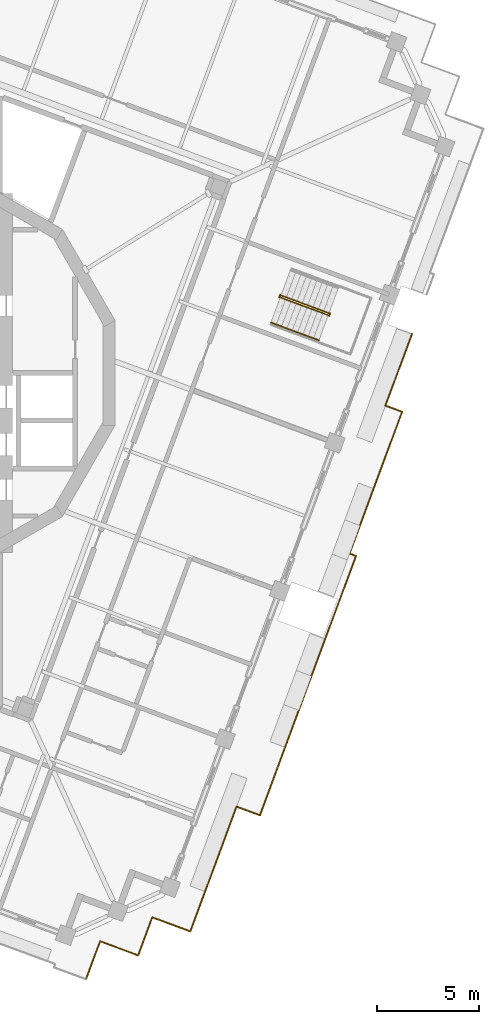
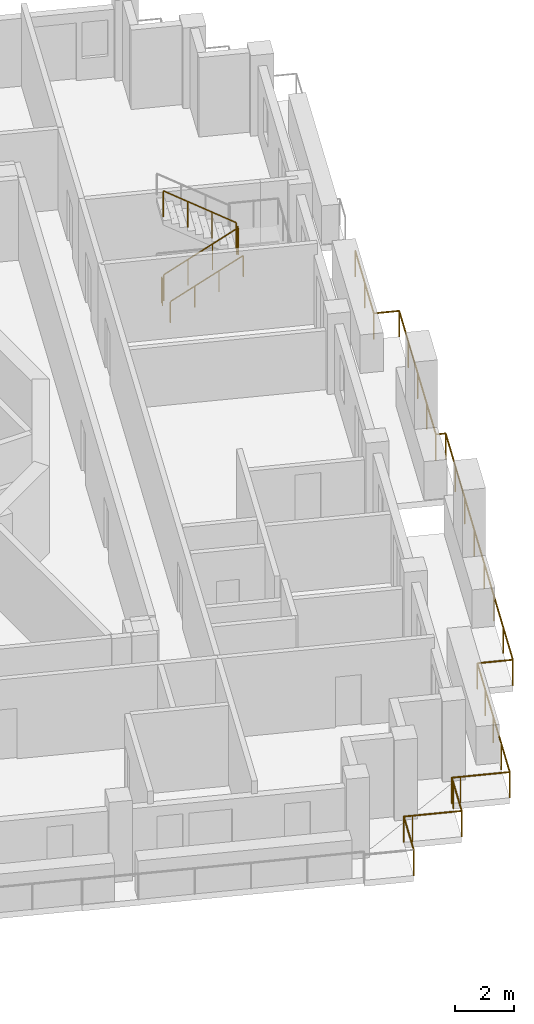
# One storey, part 17 of 20: 5 railings.
"""IFC4 building model written with IfcOpenShell, lengths in metres."""

from ifc_helpers import new_model, si_unit, direction, frame, origin, origin_2d, place, context, subcontext, project, spatial, circle, extrude, material, type_object, element, save


model = new_model("IFC4")

# Units and contexts
model_context = context("Model", 3, precision=1e-05, world=origin(), true_north=direction((0.0, 1.0)))
body_context = subcontext(model_context, "Body", "Model", "MODEL_VIEW")
ifc_project = project(units=[si_unit("LENGTHUNIT", "METRE"), si_unit("AREAUNIT", "SQUARE_METRE"), si_unit("VOLUMEUNIT", "CUBIC_METRE"), si_unit("PLANEANGLEUNIT", "RADIAN"), si_unit("MASSUNIT", "GRAM", prefix="KILO")], contexts=[model_context])

# Site, building, storey
site_placement = place(None, origin())
site = spatial("IfcSite", under=ifc_project, at=site_placement, CompositionType="ELEMENT")
building_placement = place(site_placement, origin())
building = spatial("IfcBuilding", under=site, at=building_placement, Name="Cantera Rosa Tower", CompositionType="ELEMENT")
storey_placement = place(building_placement, frame((0.0, 0.0, 313.300048828125)))
storey = spatial("IfcBuildingStorey", under=building, at=storey_placement, Name="L69", CompositionType="ELEMENT", Elevation=313.300048828125)

# Railings
ifc_material_1 = material(Name="Stainless steel and laminated glass", Category="steel")
railing_type_1 = type_object("IfcRailingType", Name="GUARD 1100", PredefinedType="BALUSTRADE", material=ifc_material_1)
railing_1_placement = place(storey_placement, frame((24.29150390625, 1.918701171875, 0.0)))
element("IfcRailing", 1, at=railing_1_placement, inside=storey, type_object=railing_type_1, Name="GUARD L69-7", PredefinedType="BALUSTRADE", context=body_context, shape_type="SweptSolid", body=[
    extrude(circle(Radius=0.030029296875, at=origin_2d()), frame((0.0, 0.0, 1.070068359375), z_axis=(-0.347529903095, -0.937668900228, 0.0), x_axis=(0.937668900228, -0.347529903095, 0.0)), (0.0, 0.0, 1.0), 3.7626953125),
    extrude(circle(Radius=0.030029296875, at=origin_2d()), frame((-1.3076171875, -3.528076171875, 1.070068359375), z_axis=(0.937752120302, -0.347305284828, 0.0), x_axis=(0.347305284828, 0.937752120302, 0.0)), (0.0, 0.0, 1.0), 0.876708984375),
    extrude(circle(Radius=0.030029296875, at=origin_2d()), frame((-0.485595703125, -3.83251953125, 1.070068359375), z_axis=(-0.347475671947, -0.937688998232, 0.0), x_axis=(0.937688998232, -0.347475671947, 0.0)), (0.0, 0.0, 1.0), 7.44287109375),
    extrude(circle(Radius=0.030029296875, at=origin_2d()), frame((-3.07177734375, -10.8115234375, 1.070068359375), z_axis=(0.937661389353, -0.347550167482, 0.0), x_axis=(0.347550167482, 0.937661389353, 0.0)), (0.0, 0.0, 1.0), 0.337158203125),
    extrude(circle(Radius=0.030029296875, at=origin_2d()), frame((-2.755615234375, -10.9287109375, 1.070068359375), z_axis=(-0.347469536393, -0.937691271837, 0.0), x_axis=(0.937691271837, -0.347469536393, 0.0)), (0.0, 0.0, 1.0), 13.62939453125),
    extrude(circle(Radius=0.030029296875, at=origin_2d()), frame((-7.491455078125, -23.708984375, 1.070068359375), z_axis=(-0.937722312445, 0.34738575783, 0.0), x_axis=(-0.34738575783, -0.937722312445, 0.0)), (0.0, 0.0, 1.0), 1.224853515625),
    extrude(circle(Radius=0.030029296875, at=origin_2d()), frame((-8.64013671875, -23.283447265625, 1.070068359375), z_axis=(-0.347478129695, -0.93768808747, 0.0), x_axis=(0.93768808747, -0.347478129695, 0.0)), (0.0, 0.0, 1.0), 4.85498046875),
    extrude(circle(Radius=0.030029296875, at=origin_2d()), frame((-10.3271484375, -27.8359375, 1.070068359375), z_axis=(-0.347501421626, -0.937679455874, 0.0), x_axis=(0.937679455874, -0.347501421626, 0.0)), (0.0, 0.0, 1.0), 1.7001953125),
    extrude(circle(Radius=0.030029296875, at=origin_2d()), frame((-10.91796875, -29.43017578125, 1.070068359375), z_axis=(-0.93766211216, 0.347548217403, 0.0), x_axis=(-0.347548217403, -0.93766211216, 0.0)), (0.0, 0.0, 1.0), 1.699951171875),
    extrude(circle(Radius=0.030029296875, at=origin_2d()), frame((-12.511962890625, -28.83935546875, 1.070068359375), z_axis=(-0.937660365215, 0.347552930509, 0.0), x_axis=(-0.347552930509, -0.937660365215, 0.0)), (0.0, 0.0, 1.0), 0.300048828125),
    extrude(circle(Radius=0.030029296875, at=origin_2d()), frame((-12.793212890625, -28.735107421875, 1.070068359375), z_axis=(-0.347552930509, -0.937660365215, 0.0), x_axis=(0.937660365215, -0.347552930509, 0.0)), (0.0, 0.0, 1.0), 0.300048828125),
    extrude(circle(Radius=0.030029296875, at=origin_2d()), frame((-12.8974609375, -29.016357421875, 1.070068359375), z_axis=(-0.347501421626, -0.937679455874, 0.0), x_axis=(0.937679455874, -0.347501421626, 0.0)), (0.0, 0.0, 1.0), 1.7001953125),
    extrude(circle(Radius=0.030029296875, at=origin_2d()), frame((-13.48828125, -30.610595703125, 1.070068359375), z_axis=(-0.93766211216, 0.347548217403, 0.0), x_axis=(-0.347548217403, -0.93766211216, 0.0)), (0.0, 0.0, 1.0), 1.699951171875),
    extrude(circle(Radius=0.030029296875, at=origin_2d()), frame((-15.082275390625, -30.019775390625, 1.070068359375), z_axis=(-0.937660365215, 0.347552930509, 0.0), x_axis=(-0.347552930509, -0.937660365215, 0.0)), (0.0, 0.0, 1.0), 0.300048828125),
    extrude(circle(Radius=0.030029296875, at=origin_2d()), frame((-15.363525390625, -29.91552734375, 1.070068359375), z_axis=(-0.347509146147, -0.937676593151, 0.0), x_axis=(0.937676593151, -0.347509146147, 0.0)), (0.0, 0.0, 1.0), 2.000244140625),
    extrude(circle(Radius=0.02490234375, at=origin_2d()), origin(), (0.0, 0.0, 1.0), 1.0400390625),
    extrude(circle(Radius=0.02490234375, at=origin_2d()), frame((-0.65380859375, -1.76416015625, 0.0)), (0.0, 0.0, 1.0), 1.0400390625),
    extrude(circle(Radius=0.02490234375, at=origin_2d()), frame((-1.3076171875, -3.528076171875, 0.0)), (0.0, 0.0, 1.0), 1.0400390625),
    extrude(circle(Radius=0.02490234375, at=origin_2d()), frame((-0.485595703125, -3.83251953125, 0.0)), (0.0, 0.0, 1.0), 1.0400390625),
    extrude(circle(Radius=0.02490234375, at=origin_2d()), frame((-1.132080078125, -5.5771484375, 0.0)), (0.0, 0.0, 1.0), 1.0400390625),
    extrude(circle(Radius=0.02490234375, at=origin_2d()), frame((-1.77880859375, -7.322021484375, 0.0)), (0.0, 0.0, 1.0), 1.0400390625),
    extrude(circle(Radius=0.02490234375, at=origin_2d()), frame((-2.42529296875, -9.06689453125, 0.0)), (0.0, 0.0, 1.0), 1.0400390625),
    extrude(circle(Radius=0.02490234375, at=origin_2d()), frame((-3.07177734375, -10.8115234375, 0.0)), (0.0, 0.0, 1.0), 1.0400390625),
    extrude(circle(Radius=0.02490234375, at=origin_2d()), frame((-2.755615234375, -10.9287109375, 0.0)), (0.0, 0.0, 1.0), 1.0400390625),
    extrude(circle(Radius=0.02490234375, at=origin_2d()), frame((-3.43212890625, -12.75439453125, 0.0)), (0.0, 0.0, 1.0), 1.0400390625),
    extrude(circle(Radius=0.02490234375, at=origin_2d()), frame((-4.108642578125, -14.580322265625, 0.0)), (0.0, 0.0, 1.0), 1.0400390625),
    extrude(circle(Radius=0.02490234375, at=origin_2d()), frame((-4.78515625, -16.406005859375, 0.0)), (0.0, 0.0, 1.0), 1.0400390625),
    extrude(circle(Radius=0.02490234375, at=origin_2d()), frame((-5.4619140625, -18.231689453125, 0.0)), (0.0, 0.0, 1.0), 1.0400390625),
    extrude(circle(Radius=0.02490234375, at=origin_2d()), frame((-6.138427734375, -20.057373046875, 0.0)), (0.0, 0.0, 1.0), 1.0400390625),
    extrude(circle(Radius=0.02490234375, at=origin_2d()), frame((-6.81494140625, -21.88330078125, 0.0)), (0.0, 0.0, 1.0), 1.0400390625),
    extrude(circle(Radius=0.02490234375, at=origin_2d()), frame((-7.491455078125, -23.708984375, 0.0)), (0.0, 0.0, 1.0), 1.0400390625),
    extrude(circle(Radius=0.02490234375, at=origin_2d()), frame((-8.64013671875, -23.283447265625, 0.0)), (0.0, 0.0, 1.0), 1.0400390625),
    extrude(circle(Radius=0.02490234375, at=origin_2d()), frame((-9.202392578125, -24.801025390625, 0.0)), (0.0, 0.0, 1.0), 1.0400390625),
    extrude(circle(Radius=0.02490234375, at=origin_2d()), frame((-9.764892578125, -26.318359375, 0.0)), (0.0, 0.0, 1.0), 1.0400390625),
    extrude(circle(Radius=0.02490234375, at=origin_2d()), frame((-10.3271484375, -27.8359375, 0.0)), (0.0, 0.0, 1.0), 1.0400390625),
    extrude(circle(Radius=0.02490234375, at=origin_2d()), frame((-10.91796875, -29.43017578125, 0.0)), (0.0, 0.0, 1.0), 1.0400390625),
    extrude(circle(Radius=0.02490234375, at=origin_2d()), frame((-12.511962890625, -28.83935546875, 0.0)), (0.0, 0.0, 1.0), 1.0400390625),
    extrude(circle(Radius=0.02490234375, at=origin_2d()), frame((-12.793212890625, -28.735107421875, 0.0)), (0.0, 0.0, 1.0), 1.0400390625),
    extrude(circle(Radius=0.02490234375, at=origin_2d()), frame((-12.8974609375, -29.016357421875, 0.0)), (0.0, 0.0, 1.0), 1.0400390625),
    extrude(circle(Radius=0.02490234375, at=origin_2d()), frame((-13.48828125, -30.610595703125, 0.0)), (0.0, 0.0, 1.0), 1.0400390625),
    extrude(circle(Radius=0.02490234375, at=origin_2d()), frame((-15.082275390625, -30.019775390625, 0.0)), (0.0, 0.0, 1.0), 1.0400390625),
    extrude(circle(Radius=0.02490234375, at=origin_2d()), frame((-15.363525390625, -29.91552734375, 0.0)), (0.0, 0.0, 1.0), 1.0400390625),
    extrude(circle(Radius=0.02490234375, at=origin_2d()), frame((-16.05859375, -31.791015625, 0.0)), (0.0, 0.0, 1.0), 1.0400390625),
])
ifc_material_2 = material(Name="Steel S355J2 (EN 10025-2)", Category="steel")
railing_type_2 = type_object("IfcRailingType", Name="STAIR GUARD 1100", PredefinedType="GUARDRAIL", material=ifc_material_2)
railing_2_placement = place(storey_placement, frame((17.802490234375, 3.721923828125, 0.179931640625)))
element("IfcRailing", 2, at=railing_2_placement, inside=storey, type_object=railing_type_2, Name="L69 ST-61 stair guard 1", PredefinedType="GUARDRAIL", context=body_context, shape_type="SweptSolid", body=[
    extrude(circle(Radius=0.02392578125, at=origin_2d()), frame((0.0, 0.0, 1.076171875), z_axis=(0.788747577403, -0.292306804437, 0.540771662738), x_axis=(0.347500508527, 0.937679794265, 0.0)), (0.0, 0.0, 1.0), 2.995849609375),
    extrude(circle(Radius=0.02392578125, at=origin_2d()), frame((2.363037109375, -0.875732421875, 2.6962890625), z_axis=(0.671593765389, -0.740919573429, 0.0), x_axis=(0.740919573429, 0.671593765389, 0.0)), (0.0, 0.0, 1.0), 0.056396484375),
    extrude(circle(Radius=0.02392578125, at=origin_2d()), frame((2.40087890625, -0.91748046875, 2.6962890625), z_axis=(0.348268249601, 0.937394914814, 0.0), x_axis=(-0.937394914814, 0.348268249601, 0.0)), (0.0, 0.0, 1.0), 0.14990234375),
    extrude(circle(Radius=0.02099609375, at=origin_2d()), origin(), (0.0, 0.0, 1.0), 1.052001953125),
    extrude(circle(Radius=0.02099609375, at=origin_2d()), frame((0.78759765625, -0.2919921875, 0.5400390625)), (0.0, 0.0, 1.0), 1.052001953125),
    extrude(circle(Radius=0.02099609375, at=origin_2d()), frame((1.575439453125, -0.583740234375, 1.080078125)), (0.0, 0.0, 1.0), 1.052001953125),
    extrude(circle(Radius=0.02099609375, at=origin_2d()), frame((2.363037109375, -0.875732421875, 1.6201171875)), (0.0, 0.0, 1.0), 1.052001953125),
    extrude(circle(Radius=0.02099609375, at=origin_2d()), frame((2.40087890625, -0.91748046875, 1.6201171875)), (0.0, 0.0, 1.0), 1.052001953125),
    extrude(circle(Radius=0.02099609375, at=origin_2d()), frame((2.453125, -0.77685546875, 1.6201171875)), (0.0, 0.0, 1.0), 1.052001953125),
])
railing_3_placement = place(storey_placement, frame((20.19970703125, 2.93798828125, 1.97998046875)))
element("IfcRailing", 3, at=railing_3_placement, inside=storey, type_object=railing_type_2, Name="L69 ST-61 stair guard 2", PredefinedType="GUARDRAIL", context=body_context, shape_type="SweptSolid", body=[
    extrude(circle(Radius=0.02392578125, at=origin_2d()), frame((0.0, 0.0, 1.076171875), z_axis=(-0.78878233546, 0.292319685639, 0.540713998944), x_axis=(-0.347500508527, -0.937679794265, 0.0)), (0.0, 0.0, 1.0), 2.995849609375),
    extrude(circle(Radius=0.02099609375, at=origin_2d()), origin(), (0.0, 0.0, 1.0), 1.052001953125),
    extrude(circle(Radius=0.02099609375, at=origin_2d()), frame((-0.78759765625, 0.2919921875, 0.5400390625)), (0.0, 0.0, 1.0), 1.052001953125),
    extrude(circle(Radius=0.02099609375, at=origin_2d()), frame((-1.575439453125, 0.583740234375, 1.079833984375)), (0.0, 0.0, 1.0), 1.052001953125),
    extrude(circle(Radius=0.02099609375, at=origin_2d()), frame((-2.363037109375, 0.875732421875, 1.619873046875)), (0.0, 0.0, 1.0), 1.052001953125),
])
railing_4_placement = place(storey_placement, frame((17.74658203125, 3.71484375, 0.0)))
element("IfcRailing", 4, at=railing_4_placement, inside=storey, type_object=railing_type_2, Name="L69 ST-61 stair guard 3", PredefinedType="GUARDRAIL", context=body_context, shape_type="SweptSolid", body=[
    extrude(circle(Radius=0.02392578125, at=origin_2d()), frame((0.0, 0.0, 1.076171875), z_axis=(0.348268249601, 0.937394914814, 0.0), x_axis=(-0.937394914814, 0.348268249601, 0.0)), (0.0, 0.0, 1.0), 0.14990234375),
    extrude(circle(Radius=0.02099609375, at=origin_2d()), origin(), (0.0, 0.0, 1.0), 1.052001953125),
    extrude(circle(Radius=0.02099609375, at=origin_2d()), frame((0.05224609375, 0.140625, 0.0)), (0.0, 0.0, 1.0), 1.052001953125),
])
ifc_material_3 = material(Name="Steel S355J2 (EN 10025-2)", Category="steel")
railing_type_3 = type_object("IfcRailingType", Name="STAIR HANDRAIL 900", PredefinedType="HANDRAIL", material=ifc_material_3)
railing_5_placement = place(storey_placement, frame((17.341796875, 2.478515625, 0.179931640625)))
element("IfcRailing", 5, at=railing_5_placement, inside=storey, type_object=railing_type_3, Name="L69 ST-61 stair handrail 1", PredefinedType="HANDRAIL", context=body_context, shape_type="SweptSolid", body=[
    extrude(circle(Radius=0.02392578125, at=origin_2d()), frame((0.0, 0.0, 0.8759765625), z_axis=(0.788747577403, -0.292306804437, 0.540771662738), x_axis=(0.347500508527, 0.937679794265, 0.0)), (0.0, 0.0, 1.0), 2.995849609375),
    extrude(circle(Radius=0.02099609375, at=origin_2d()), origin(), (0.0, 0.0, 1.0), 0.851806640625),
    extrude(circle(Radius=0.02099609375, at=origin_2d()), frame((0.78759765625, -0.2919921875, 0.5400390625)), (0.0, 0.0, 1.0), 0.851806640625),
    extrude(circle(Radius=0.02099609375, at=origin_2d()), frame((1.575439453125, -0.583740234375, 1.080078125)), (0.0, 0.0, 1.0), 0.851806640625),
    extrude(circle(Radius=0.02099609375, at=origin_2d()), frame((2.363037109375, -0.875732421875, 1.6201171875)), (0.0, 0.0, 1.0), 0.851806640625),
])

save(model, "model.ifc")
